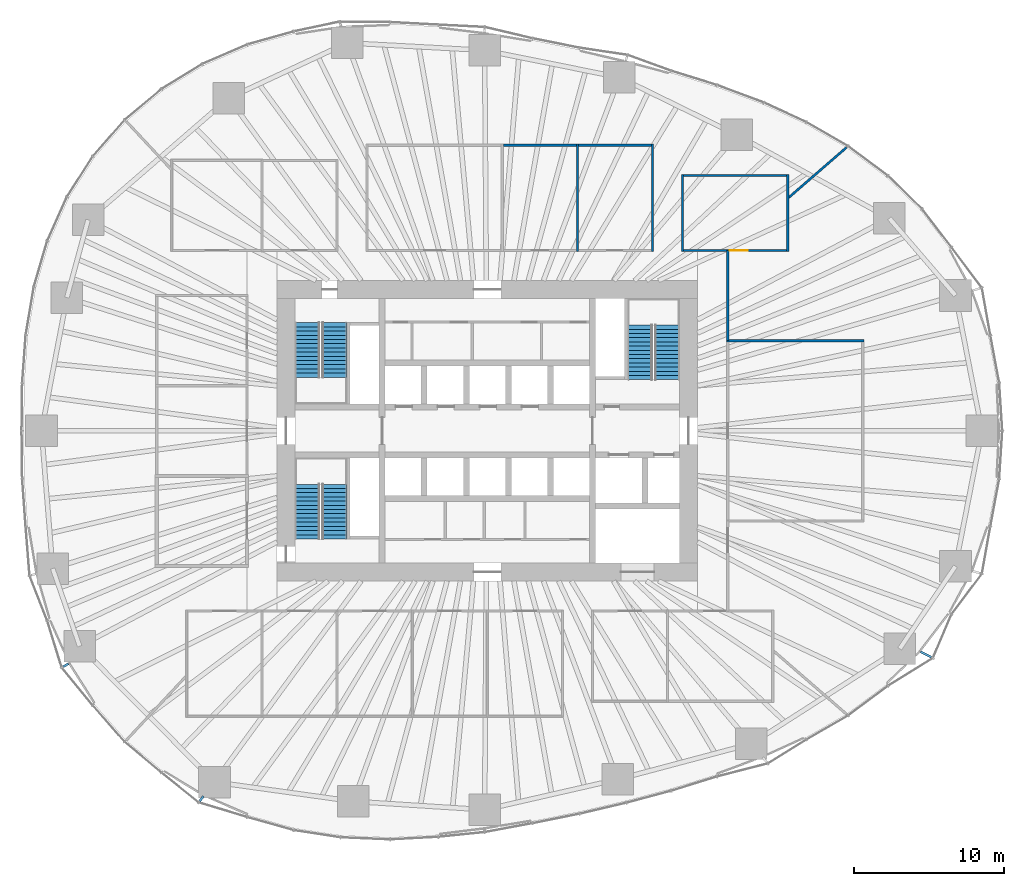
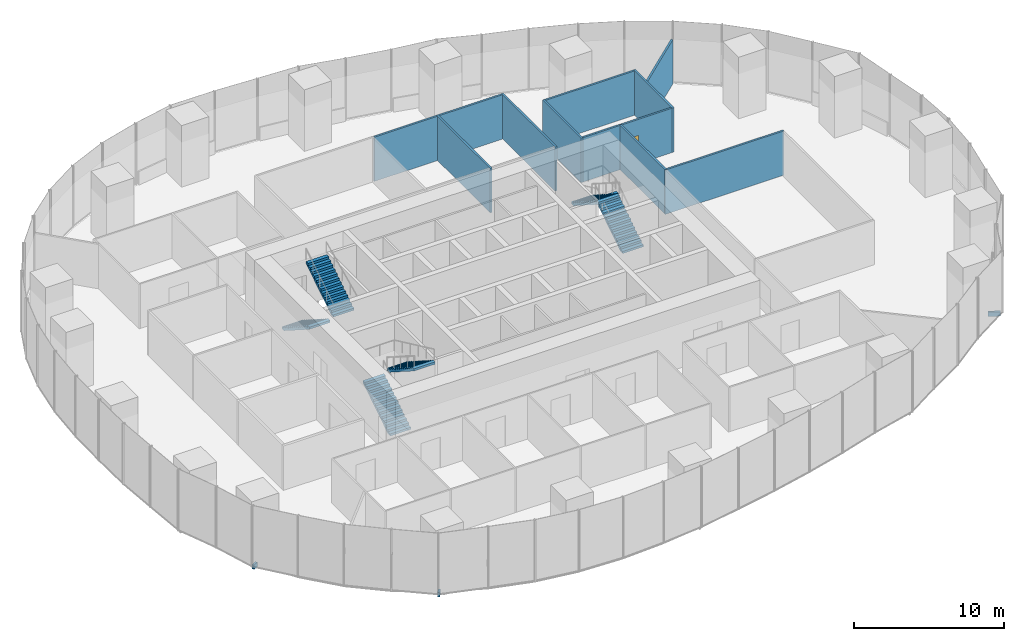
# One storey, part 12 of 20: 11 walls, 6 stair flights, 3 discrete accessories, 1 door, 1 opening, 3 elements without a shape of their own.
"""IFC4 building model written with IfcOpenShell, lengths in metres."""

from ifc_helpers import new_model, si_unit, direction, frame, frame_2d, origin, origin_2d, place, context, subcontext, project, spatial, polyline, rectangle, outline, extrude, material, layer, layer_set, type_object, element, fill, aggregate, save


model = new_model("IFC4")

# Units and contexts
model_context = context("Model", 3, precision=1e-05, world=origin(), true_north=direction((0.0, 1.0)))
body_context = subcontext(model_context, "Body", "Model", "MODEL_VIEW")
ifc_project = project(units=[si_unit("LENGTHUNIT", "METRE"), si_unit("AREAUNIT", "SQUARE_METRE"), si_unit("VOLUMEUNIT", "CUBIC_METRE"), si_unit("PLANEANGLEUNIT", "RADIAN"), si_unit("MASSUNIT", "GRAM", prefix="KILO")], contexts=[model_context])

# Site, building, storey
site_placement = place(None, origin())
site = spatial("IfcSite", under=ifc_project, at=site_placement, CompositionType="ELEMENT")
building_placement = place(site_placement, origin())
building = spatial("IfcBuilding", under=site, at=building_placement, Name="Ghaith Harvest Tower", CompositionType="ELEMENT")
storey_placement = place(building_placement, frame((0.0, 0.0, 50.0)))
storey = spatial("IfcBuildingStorey", under=building, at=storey_placement, Name="L10", CompositionType="ELEMENT", Elevation=50.0)

# Walls
ifc_material_1 = material(Name="Gypsum board on steel studs", Category="steel")
ifc_layer = layer(ifc_material_1, 0.14990234375)
ifc_layer_set = layer_set([ifc_layer], Name="PARTITION 150")
wall_type = type_object("IfcWallType", Name="PARTITION 150", PredefinedType="PARTITIONING", material=ifc_layer_set)
for number, where, z_axis, x_axis, name in (
    (1, (6.0, 11.925048828125, 0.0), (0.0, 0.0, 1.0), (0.0, 1.0, 0.0), "Partition L10 row N4 cross wall 3"),
    (2, (11.0, 11.925048828125, 0.0), (0.0, 0.0, 1.0), (0.0, 1.0, 0.0), "Partition L10 row N4 cross wall 4"),
):
    element("IfcWall", number, at=place(storey_placement, frame(where, z_axis=z_axis, x_axis=x_axis)), inside=storey, type_object=wall_type, Name=name, PredefinedType="PARTITIONING", context=body_context, shape_type="SweptSolid", body=[
        extrude(rectangle(XDim=7.14990234375, YDim=0.14990234375, at=frame_2d((3.574951171875, 0.0))), origin(), (0.0, 0.0, 1.0), 3.60009765625),
    ])
for number, where, z_axis, x_axis, name in (
    (3, (1.074951171875, 19.0, 0.0), (0.0, 0.0, 1.0), (1.0, 0.0, 0.0), "Partition L10-11"),
    (4, (6.074951171875, 19.0, 0.0), (0.0, 0.0, 1.0), (1.0, 0.0, 0.0), "Partition L10-12"),
):
    element("IfcWall", number, at=place(storey_placement, frame(where, z_axis=z_axis, x_axis=x_axis)), inside=storey, type_object=wall_type, Name=name, PredefinedType="PARTITIONING", context=body_context, shape_type="SweptSolid", body=[
        extrude(rectangle(XDim=4.85009765625, YDim=0.14990234375, at=frame_2d((2.425048828125, 0.0))), origin(), (0.0, 0.0, 1.0), 3.60009765625),
    ])
wall_1_placement = place(storey_placement, frame((15.925048828125, 6.0, 0.0), z_axis=(0.0, 0.0, 1.0), x_axis=(1.0, 0.0, 0.0)))
element("IfcWall", 5, at=wall_1_placement, inside=storey, type_object=wall_type, Name="Partition L10 row E5 cross wall 2", PredefinedType="PARTITIONING", context=body_context, shape_type="SweptSolid", body=[
    extrude(rectangle(XDim=9.14990234375, YDim=0.14990234375, at=frame_2d((4.574951171875, 0.0))), origin(), (0.0, 0.0, 1.0), 3.60009765625),
])
for number, where, z_axis, x_axis, name in (
    (6, (13.0, 11.925048828125, 0.0), (0.0, 0.0, 1.0), (0.0, 1.0, 0.0), "Partition L10 row N7 cross wall 1"),
    (7, (20.0, 11.925048828125, 0.0), (0.0, 0.0, 1.0), (0.0, 1.0, 0.0), "Partition L10 row N7 cross wall 2"),
):
    element("IfcWall", number, at=place(storey_placement, frame(where, z_axis=z_axis, x_axis=x_axis)), inside=storey, type_object=wall_type, Name=name, PredefinedType="PARTITIONING", context=body_context, shape_type="SweptSolid", body=[
        extrude(rectangle(XDim=5.14990234375, YDim=0.14990234375, at=frame_2d((2.574951171875, 0.0))), origin(), (0.0, 0.0, 1.0), 3.60009765625),
    ])

# Wall, opening, door
wall_2_placement = place(storey_placement, frame((13.074951171875, 12.0, 0.0), z_axis=(0.0, 0.0, 1.0), x_axis=(1.0, 0.0, 0.0)))
wall_2 = element("IfcWall", 8, at=wall_2_placement, inside=storey, type_object=wall_type, Name="Partition L10-17", PredefinedType="PARTITIONING", context=body_context, shape_type="SweptSolid", body=[
    extrude(rectangle(XDim=6.85009765625, YDim=0.14990234375, at=frame_2d((3.425048828125, 0.0))), origin(), (0.0, 0.0, 1.0), 3.60009765625),
])
opening_placement = place(wall_2_placement, frame((3.074951171875, 0.0, 0.0)))
opening = element("IfcOpeningElement", 9, at=opening_placement, cuts=wall_2, Name="Opening 10-041", PredefinedType="OPENING", context=body_context, shape_type="SweptSolid", body=[
    extrude(rectangle(XDim=1.199951171875, YDim=2.300048828125, at=frame_2d((0.60009765625, 1.14990234375))), frame((0.0, 0.0849609375, 0.0), z_axis=(0.0, -1.0, 0.0), x_axis=(1.0, 0.0, 0.0)), (0.0, 0.0, 1.0), 0.169921875),
])
ifc_material_2 = material(Name="Timber door with vision panel", Category="wood")
door_type = type_object("IfcDoorType", Name="D15 LABORATORY 1200x2300", OperationType="SINGLE_SWING_LEFT", PredefinedType="DOOR", material=ifc_material_2)
door_placement = place(opening_placement, origin())
door = element("IfcDoor", 10, at=door_placement, inside=storey, type_object=door_type, Name="Quality laboratory door", OperationType="SINGLE_SWING_RIGHT", OverallHeight=2.300048828125, OverallWidth=1.199951171875, PredefinedType="DOOR", context=body_context, shape_type="SweptSolid", body=[
    extrude(rectangle(XDim=1.199951171875, YDim=2.300048828125, at=frame_2d((0.60009765625, 1.14990234375))), frame((0.0, 0.02490234375, 0.0), z_axis=(0.0, -1.0, 0.0), x_axis=(1.0, 0.0, 0.0)), (0.0, 0.0, 1.0), 0.050048828125),
])
fill(opening, door)

# Walls
wall_3_placement = place(storey_placement, frame((13.074951171875, 17.0, 0.0), z_axis=(0.0, 0.0, 1.0), x_axis=(1.0, 0.0, 0.0)))
element("IfcWall", 11, at=wall_3_placement, inside=storey, type_object=wall_type, Name="Partition L10-17", PredefinedType="PARTITIONING", context=body_context, shape_type="SweptSolid", body=[
    extrude(rectangle(XDim=6.85009765625, YDim=0.14990234375, at=frame_2d((3.425048828125, 0.0))), origin(), (0.0, 0.0, 1.0), 3.60009765625),
])
wall_4_placement = place(storey_placement, frame((20.02001953125, 15.48681640625, 0.0), z_axis=(0.0, 0.0, 1.0), x_axis=(0.755443308786, 0.655214016342, 0.0)))
element("IfcWall", 12, at=wall_4_placement, inside=storey, type_object=wall_type, Name="Partition L10 zone division", PredefinedType="PARTITIONING", context=body_context, shape_type="SweptSolid", body=[
    extrude(rectangle(XDim=5.14697265625, YDim=0.14990234375, at=frame_2d((2.573486328125, 0.0))), origin(), (0.0, 0.0, 1.0), 3.60009765625),
])
wall_5_placement = place(storey_placement, frame((16.0, 6.0, 0.0), z_axis=(0.0, 0.0, 1.0), x_axis=(0.0, 1.0, 0.0)))
element("IfcWall", 13, at=wall_5_placement, inside=storey, type_object=wall_type, Name="Partition L10 zone enclosure", PredefinedType="PARTITIONING", context=body_context, shape_type="SweptSolid", body=[
    extrude(rectangle(XDim=6.0, YDim=0.14990234375, at=frame_2d((3.0, 0.0))), origin(), (0.0, 0.0, 1.0), 3.60009765625),
])

# Stair, stair flights
ifc_material_3 = material(Name="Concrete C40/50, precast", Category="concrete")
stair_type = type_object("IfcStairType", Name="CORE STAIR 28R", PredefinedType="HALF_TURN_STAIR", material=ifc_material_3)
stair_1_placement = place(storey_placement, origin())
stair_1 = element("IfcStair", 14, at=stair_1_placement, inside=storey, type_object=stair_type, Name="Stair ST1 L10", PredefinedType="HALF_TURN_STAIR")
ifc_material_4 = material(Name="Concrete C40/50, precast", Category="concrete")
stair_flight_type = type_object("IfcStairFlightType", Name="CORE FLIGHT 14R 1600", PredefinedType="STRAIGHT", material=ifc_material_4)
stair_flight_1_placement = place(storey_placement, frame((-12.0, 7.199951171875, 0.0), z_axis=(0.0, 0.0, 1.0), x_axis=(0.0, -1.0, 0.0)))
stair_flight_1 = element("IfcStairFlight", 15, at=stair_flight_1_placement, type_object=stair_flight_type, Name="ST1 flight 1", NumberOfRisers=14, NumberOfTreads=13, PredefinedType="STRAIGHT", RiserHeight=0.178571429, TreadLength=0.28, context=body_context, shape_type="SweptSolid", body=[
    extrude(outline(polyline([(0.0, 0.0), (0.0, 0.178466796875), (0.280029296875, 0.178466796875), (0.280029296875, 0.357177734375), (0.56005859375, 0.357177734375), (0.56005859375, 0.53564453125), (0.840087890625, 0.53564453125), (0.840087890625, 0.71435546875), (1.1201171875, 0.71435546875), (1.1201171875, 0.892822265625), (1.39990234375, 0.892822265625), (1.39990234375, 1.071533203125), (1.679931640625, 1.071533203125), (1.679931640625, 1.25), (1.9599609375, 1.25), (1.9599609375, 1.428466796875), (2.239990234375, 1.428466796875), (2.239990234375, 1.607177734375), (2.52001953125, 1.607177734375), (2.52001953125, 1.78564453125), (2.800048828125, 1.78564453125), (2.800048828125, 1.96435546875), (3.080078125, 1.96435546875), (3.080078125, 2.142822265625), (3.360107421875, 2.142822265625), (3.360107421875, 2.321533203125), (3.639892578125, 2.321533203125), (3.639892578125, 2.5), (3.639892578125, 2.1435546875), (0.27880859375, 0.0), (0.0, 0.0)])), frame((0.0, 0.800048828125, 0.0), z_axis=(0.0, -1.0, 0.0), x_axis=(1.0, 0.0, 0.0)), (0.0, 0.0, 1.0), 1.60009765625),
])
stair_flight_2_placement = place(storey_placement, frame((-10.14990234375, 3.56005859375, 2.5), z_axis=(0.0, 0.0, 1.0), x_axis=(0.0, 1.0, 0.0)))
stair_flight_2 = element("IfcStairFlight", 16, at=stair_flight_2_placement, type_object=stair_flight_type, Name="ST1 flight 2", NumberOfRisers=14, NumberOfTreads=13, PredefinedType="STRAIGHT", RiserHeight=0.178571429, TreadLength=0.28, context=body_context, shape_type="SweptSolid", body=[
    extrude(outline(polyline([(0.0, 0.0), (0.0, 0.178466796875), (0.280029296875, 0.178466796875), (0.280029296875, 0.357177734375), (0.56005859375, 0.357177734375), (0.56005859375, 0.53564453125), (0.840087890625, 0.53564453125), (0.840087890625, 0.71435546875), (1.1201171875, 0.71435546875), (1.1201171875, 0.892822265625), (1.39990234375, 0.892822265625), (1.39990234375, 1.071533203125), (1.679931640625, 1.071533203125), (1.679931640625, 1.25), (1.9599609375, 1.25), (1.9599609375, 1.428466796875), (2.239990234375, 1.428466796875), (2.239990234375, 1.607177734375), (2.52001953125, 1.607177734375), (2.52001953125, 1.78564453125), (2.800048828125, 1.78564453125), (2.800048828125, 1.96435546875), (3.080078125, 1.96435546875), (3.080078125, 2.142822265625), (3.360107421875, 2.142822265625), (3.360107421875, 2.321533203125), (3.639892578125, 2.321533203125), (3.639892578125, 2.5), (3.639892578125, 2.1435546875), (0.27880859375, 0.0), (0.0, 0.0)])), frame((0.0, 0.800048828125, 0.0), z_axis=(0.0, -1.0, 0.0), x_axis=(1.0, 0.0, 0.0)), (0.0, 0.0, 1.0), 1.60009765625),
])
aggregate(stair_1, [stair_flight_1, stair_flight_2])

stair_2_placement = place(storey_placement, origin())
stair_2 = element("IfcStair", 17, at=stair_2_placement, inside=storey, type_object=stair_type, Name="Stair ST3 L10", PredefinedType="HALF_TURN_STAIR")
stair_flight_3_placement = place(storey_placement, frame((-12.0, -7.199951171875, 0.0), z_axis=(0.0, 0.0, 1.0), x_axis=(0.0, 1.0, 0.0)))
stair_flight_3 = element("IfcStairFlight", 18, at=stair_flight_3_placement, type_object=stair_flight_type, Name="ST3 flight 1", NumberOfRisers=14, NumberOfTreads=13, PredefinedType="STRAIGHT", RiserHeight=0.178571429, TreadLength=0.28, context=body_context, shape_type="SweptSolid", body=[
    extrude(outline(polyline([(0.0, 0.0), (0.0, 0.178466796875), (0.280029296875, 0.178466796875), (0.280029296875, 0.357177734375), (0.56005859375, 0.357177734375), (0.56005859375, 0.53564453125), (0.840087890625, 0.53564453125), (0.840087890625, 0.71435546875), (1.1201171875, 0.71435546875), (1.1201171875, 0.892822265625), (1.39990234375, 0.892822265625), (1.39990234375, 1.071533203125), (1.679931640625, 1.071533203125), (1.679931640625, 1.25), (1.9599609375, 1.25), (1.9599609375, 1.428466796875), (2.239990234375, 1.428466796875), (2.239990234375, 1.607177734375), (2.52001953125, 1.607177734375), (2.52001953125, 1.78564453125), (2.800048828125, 1.78564453125), (2.800048828125, 1.96435546875), (3.080078125, 1.96435546875), (3.080078125, 2.142822265625), (3.360107421875, 2.142822265625), (3.360107421875, 2.321533203125), (3.639892578125, 2.321533203125), (3.639892578125, 2.5), (3.639892578125, 2.1435546875), (0.27880859375, 0.0), (0.0, 0.0)])), frame((0.0, 0.800048828125, 0.0), z_axis=(0.0, -1.0, 0.0), x_axis=(1.0, 0.0, 0.0)), (0.0, 0.0, 1.0), 1.60009765625),
])
stair_flight_4_placement = place(storey_placement, frame((-10.14990234375, -3.56005859375, 2.5), z_axis=(0.0, 0.0, 1.0), x_axis=(0.0, -1.0, 0.0)))
stair_flight_4 = element("IfcStairFlight", 19, at=stair_flight_4_placement, type_object=stair_flight_type, Name="ST3 flight 2", NumberOfRisers=14, NumberOfTreads=13, PredefinedType="STRAIGHT", RiserHeight=0.178571429, TreadLength=0.28, context=body_context, shape_type="SweptSolid", body=[
    extrude(outline(polyline([(0.0, 0.0), (0.0, 0.178466796875), (0.280029296875, 0.178466796875), (0.280029296875, 0.357177734375), (0.56005859375, 0.357177734375), (0.56005859375, 0.53564453125), (0.840087890625, 0.53564453125), (0.840087890625, 0.71435546875), (1.1201171875, 0.71435546875), (1.1201171875, 0.892822265625), (1.39990234375, 0.892822265625), (1.39990234375, 1.071533203125), (1.679931640625, 1.071533203125), (1.679931640625, 1.25), (1.9599609375, 1.25), (1.9599609375, 1.428466796875), (2.239990234375, 1.428466796875), (2.239990234375, 1.607177734375), (2.52001953125, 1.607177734375), (2.52001953125, 1.78564453125), (2.800048828125, 1.78564453125), (2.800048828125, 1.96435546875), (3.080078125, 1.96435546875), (3.080078125, 2.142822265625), (3.360107421875, 2.142822265625), (3.360107421875, 2.321533203125), (3.639892578125, 2.321533203125), (3.639892578125, 2.5), (3.639892578125, 2.1435546875), (0.27880859375, 0.0), (0.0, 0.0)])), frame((0.0, 0.800048828125, 0.0), z_axis=(0.0, -1.0, 0.0), x_axis=(1.0, 0.0, 0.0)), (0.0, 0.0, 1.0), 1.60009765625),
])
aggregate(stair_2, [stair_flight_3, stair_flight_4])

stair_3_placement = place(storey_placement, origin())
stair_3 = element("IfcStair", 20, at=stair_3_placement, inside=storey, type_object=stair_type, Name="Stair ST2 L10", PredefinedType="HALF_TURN_STAIR")
stair_flight_5_placement = place(storey_placement, frame((12.0, 3.39990234375, 0.0), z_axis=(0.0, 0.0, 1.0), x_axis=(0.0, 1.0, 0.0)))
stair_flight_5 = element("IfcStairFlight", 21, at=stair_flight_5_placement, type_object=stair_flight_type, Name="ST2 flight 1", NumberOfRisers=14, NumberOfTreads=13, PredefinedType="STRAIGHT", RiserHeight=0.178571429, TreadLength=0.28, context=body_context, shape_type="SweptSolid", body=[
    extrude(outline(polyline([(0.0, 0.0), (0.0, 0.178466796875), (0.280029296875, 0.178466796875), (0.280029296875, 0.357177734375), (0.56005859375, 0.357177734375), (0.56005859375, 0.53564453125), (0.840087890625, 0.53564453125), (0.840087890625, 0.71435546875), (1.1201171875, 0.71435546875), (1.1201171875, 0.892822265625), (1.39990234375, 0.892822265625), (1.39990234375, 1.071533203125), (1.679931640625, 1.071533203125), (1.679931640625, 1.25), (1.9599609375, 1.25), (1.9599609375, 1.428466796875), (2.239990234375, 1.428466796875), (2.239990234375, 1.607177734375), (2.52001953125, 1.607177734375), (2.52001953125, 1.78564453125), (2.800048828125, 1.78564453125), (2.800048828125, 1.96435546875), (3.080078125, 1.96435546875), (3.080078125, 2.142822265625), (3.360107421875, 2.142822265625), (3.360107421875, 2.321533203125), (3.639892578125, 2.321533203125), (3.639892578125, 2.5), (3.639892578125, 2.1435546875), (0.27880859375, 0.0), (0.0, 0.0)])), frame((0.0, 0.800048828125, 0.0), z_axis=(0.0, -1.0, 0.0), x_axis=(1.0, 0.0, 0.0)), (0.0, 0.0, 1.0), 1.60009765625),
])
stair_flight_6_placement = place(storey_placement, frame((10.14990234375, 7.0400390625, 2.5), z_axis=(0.0, 0.0, 1.0), x_axis=(0.0, -1.0, 0.0)))
stair_flight_6 = element("IfcStairFlight", 22, at=stair_flight_6_placement, type_object=stair_flight_type, Name="ST2 flight 2", NumberOfRisers=14, NumberOfTreads=13, PredefinedType="STRAIGHT", RiserHeight=0.178571429, TreadLength=0.28, context=body_context, shape_type="SweptSolid", body=[
    extrude(outline(polyline([(0.0, 0.0), (0.0, 0.178466796875), (0.280029296875, 0.178466796875), (0.280029296875, 0.357177734375), (0.56005859375, 0.357177734375), (0.56005859375, 0.53564453125), (0.840087890625, 0.53564453125), (0.840087890625, 0.71435546875), (1.1201171875, 0.71435546875), (1.1201171875, 0.892822265625), (1.39990234375, 0.892822265625), (1.39990234375, 1.071533203125), (1.679931640625, 1.071533203125), (1.679931640625, 1.25), (1.9599609375, 1.25), (1.9599609375, 1.428466796875), (2.239990234375, 1.428466796875), (2.239990234375, 1.607177734375), (2.52001953125, 1.607177734375), (2.52001953125, 1.78564453125), (2.800048828125, 1.78564453125), (2.800048828125, 1.96435546875), (3.080078125, 1.96435546875), (3.080078125, 2.142822265625), (3.360107421875, 2.142822265625), (3.360107421875, 2.321533203125), (3.639892578125, 2.321533203125), (3.639892578125, 2.5), (3.639892578125, 2.1435546875), (0.27880859375, 0.0), (0.0, 0.0)])), frame((0.0, 0.800048828125, 0.0), z_axis=(0.0, -1.0, 0.0), x_axis=(1.0, 0.0, 0.0)), (0.0, 0.0, 1.0), 1.60009765625),
])
aggregate(stair_3, [stair_flight_5, stair_flight_6])

# Discrete accessories
ifc_material_5 = material(Name="Stainless steel grade 1.4401", Category="steel")
discrete_accessory_type_1 = type_object("IfcDiscreteAccessoryType", Name="CURTAIN WALL BRACKET 415", PredefinedType="BRACKET", material=ifc_material_5)
discrete_accessory_1_placement = place(storey_placement, frame((-28.05859375, -15.60546875, -0.25), z_axis=(0.0, 0.0, 1.0), x_axis=(-0.873926916099, -0.486057347767, 0.0)))
element("IfcDiscreteAccessory", 23, at=discrete_accessory_1_placement, inside=storey, type_object=discrete_accessory_type_1, Name="CW-F bracket 3 bay 12 L10", PredefinedType="BRACKET", context=body_context, shape_type="SweptSolid", body=[
    extrude(rectangle(XDim=0.4150390625, YDim=0.14990234375, at=origin_2d()), origin(), (0.0, 0.0, 1.0), 0.35009765625),
])
ifc_material_6 = material(Name="Stainless steel grade 1.4401", Category="steel")
discrete_accessory_type_2 = type_object("IfcDiscreteAccessoryType", Name="CURTAIN WALL BRACKET 425", PredefinedType="BRACKET", material=ifc_material_6)
discrete_accessory_2_placement = place(storey_placement, frame((-19.02099609375, -24.491455078125, -0.25), z_axis=(0.0, 0.0, 1.0), x_axis=(-0.613377713774, -0.789789706343, 0.0)))
element("IfcDiscreteAccessory", 24, at=discrete_accessory_2_placement, inside=storey, type_object=discrete_accessory_type_2, Name="CW-F bracket 1 bay 14 L10", PredefinedType="BRACKET", context=body_context, shape_type="SweptSolid", body=[
    extrude(rectangle(XDim=0.425048828125, YDim=0.14990234375, at=origin_2d()), origin(), (0.0, 0.0, 1.0), 0.35009765625),
])
ifc_material_7 = material(Name="Stainless steel grade 1.4401", Category="steel")
discrete_accessory_type_3 = type_object("IfcDiscreteAccessoryType", Name="CURTAIN WALL BRACKET 825", PredefinedType="BRACKET", material=ifc_material_7)
discrete_accessory_3_placement = place(storey_placement, frame((29.203125, -14.89404296875, -0.25), z_axis=(0.0, 0.0, 1.0), x_axis=(0.890830752177, -0.454335306767, 0.0)))
element("IfcDiscreteAccessory", 25, at=discrete_accessory_3_placement, inside=storey, type_object=discrete_accessory_type_3, Name="CW-F bracket 2 bay 19 L10", PredefinedType="BRACKET", context=body_context, shape_type="SweptSolid", body=[
    extrude(rectangle(XDim=0.824951171875, YDim=0.14990234375, at=origin_2d()), origin(), (0.0, 0.0, 1.0), 0.35009765625),
])

save(model, "model.ifc")
